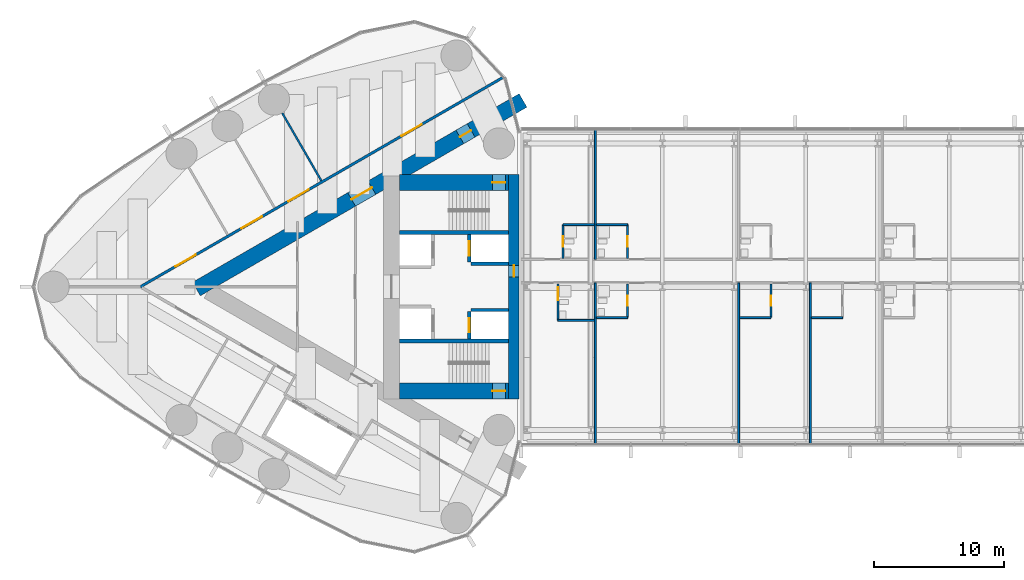
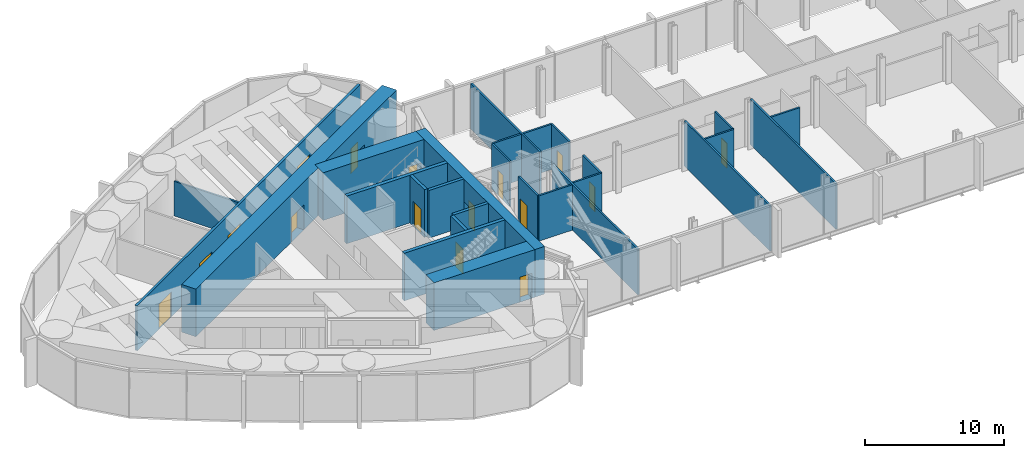
# One storey, part 16 of 23: 27 walls, 16 doors, 16 openings.
"""IFC4 building model written with IfcOpenShell, lengths in metres."""

from ifc_helpers import new_model, si_unit, direction, frame, frame_2d, origin, place, context, subcontext, project, spatial, rectangle, extrude, material, layer, layer_set, type_object, element, fill, save


model = new_model("IFC4")

# Units and contexts
model_context = context("Model", 3, precision=1e-05, world=origin(), true_north=direction((0.0, 1.0)))
body_context = subcontext(model_context, "Body", "Model", "MODEL_VIEW")
ifc_project = project(units=[si_unit("LENGTHUNIT", "METRE"), si_unit("AREAUNIT", "SQUARE_METRE"), si_unit("VOLUMEUNIT", "CUBIC_METRE"), si_unit("PLANEANGLEUNIT", "RADIAN"), si_unit("MASSUNIT", "GRAM", prefix="KILO")], contexts=[model_context])

# Site, building, storey
site_placement = place(None, origin())
site = spatial("IfcSite", under=ifc_project, at=site_placement, CompositionType="ELEMENT")
building_placement = place(site_placement, origin())
building = spatial("IfcBuilding", under=site, at=building_placement, Name="Lancet Gate Hotel", CompositionType="ELEMENT")
storey_placement = place(building_placement, frame((0.0, 0.0, 247.699951171875)))
storey = spatial("IfcBuildingStorey", under=building, at=storey_placement, Name="L66", CompositionType="ELEMENT", Elevation=247.699951171875)

# Wall
ifc_material_1 = material(Name="Moisture resistant board partition")
ifc_layer_1 = layer(ifc_material_1, 0.14990234375)
ifc_layer_set_1 = layer_set([ifc_layer_1], Name="Bathroom wall 150")
wall_type_1 = type_object("IfcWallType", Name="Bathroom wall 150", PredefinedType="PARTITIONING", material=ifc_layer_set_1)
wall_1_placement = place(storey_placement, frame((-24.52490234375, -2.574951171875, 0.0), z_axis=(0.0, 0.0, 1.0), x_axis=(1.0, 0.0, 0.0)))
element("IfcWall", 1, at=wall_1_placement, inside=storey, type_object=wall_type_1, Name="Bridge block bathroom wall 150 L66", PredefinedType="PARTITIONING", context=body_context, shape_type="SweptSolid", body=[
    extrude(rectangle(XDim=2.7998046875, YDim=0.14990234375, at=frame_2d((1.39990234375, 0.0))), origin(), (0.0, 0.0, 1.0), 4.0),
])

# Wall, opening, door
wall_2_placement = place(storey_placement, frame((-24.52490234375, -2.574951171875, 0.0), z_axis=(0.0, 0.0, 1.0), x_axis=(0.0, 1.0, 0.0)))
wall_2 = element("IfcWall", 2, at=wall_2_placement, inside=storey, type_object=wall_type_1, Name="Bridge block bathroom wall 150 L66", PredefinedType="PARTITIONING", context=body_context, shape_type="SweptSolid", body=[
    extrude(rectangle(XDim=2.800048828125, YDim=0.14990234375, at=frame_2d((1.39990234375, 0.0))), origin(), (0.0, 0.0, 1.0), 4.0),
])
opening_1_placement = place(wall_2_placement, frame((1.550048828125, 0.0, 0.0)))
opening_1 = element("IfcOpeningElement", 3, at=opening_1_placement, cuts=wall_2, Name="Opening B6601-B", PredefinedType="OPENING", context=body_context, shape_type="SweptSolid", body=[
    extrude(rectangle(XDim=1.0, YDim=2.199951171875, at=frame_2d((0.5, 1.10009765625))), frame((0.0, 0.0849609375, 0.0), z_axis=(0.0, -1.0, 0.0), x_axis=(1.0, 0.0, 0.0)), (0.0, 0.0, 1.0), 0.169921875),
])
ifc_material_2 = material(Name="Timber door set", Category="wood")
door_type_1 = type_object("IfcDoorType", Name="Accessible en-suite door 1000", OperationType="SINGLE_SWING_RIGHT", PredefinedType="DOOR", material=ifc_material_2)
door_1_placement = place(opening_1_placement, origin())
door_1 = element("IfcDoor", 4, at=door_1_placement, inside=storey, type_object=door_type_1, Name="B6601-B", OperationType="SINGLE_SWING_RIGHT", OverallHeight=2.199951171875, OverallWidth=1.0, PredefinedType="DOOR", context=body_context, shape_type="SweptSolid", body=[
    extrude(rectangle(XDim=1.0, YDim=2.199951171875, at=frame_2d((0.5, 1.10009765625))), frame((0.0, 0.02490234375, 0.0), z_axis=(0.0, -1.0, 0.0), x_axis=(1.0, 0.0, 0.0)), (0.0, 0.0, 1.0), 0.050048828125),
])
fill(opening_1, door_1)

# Wall
wall_3_placement = place(storey_placement, frame((-21.574951171875, -2.375, 0.0), z_axis=(0.0, 0.0, 1.0), x_axis=(1.0, 0.0, 0.0)))
element("IfcWall", 5, at=wall_3_placement, inside=storey, type_object=wall_type_1, Name="Bridge block bathroom wall 150 L66", PredefinedType="PARTITIONING", context=body_context, shape_type="SweptSolid", body=[
    extrude(rectangle(XDim=2.39990234375, YDim=0.14990234375, at=frame_2d((1.199951171875, 0.0))), origin(), (0.0, 0.0, 1.0), 4.0),
])

# Wall, opening, door
wall_4_placement = place(storey_placement, frame((-19.175048828125, -2.375, 0.0), z_axis=(0.0, 0.0, 1.0), x_axis=(0.0, 1.0, 0.0)))
wall_4 = element("IfcWall", 6, at=wall_4_placement, inside=storey, type_object=wall_type_1, Name="Bridge block bathroom wall 150 L66", PredefinedType="PARTITIONING", context=body_context, shape_type="SweptSolid", body=[
    extrude(rectangle(XDim=2.60009765625, YDim=0.14990234375, at=frame_2d((1.300048828125, 0.0))), origin(), (0.0, 0.0, 1.0), 4.0),
])
opening_2_placement = place(wall_4_placement, frame((0.89990234375, 0.0, 0.0)))
opening_2 = element("IfcOpeningElement", 7, at=opening_2_placement, cuts=wall_4, Name="Opening B6602-B", PredefinedType="OPENING", context=body_context, shape_type="SweptSolid", body=[
    extrude(rectangle(XDim=0.800048828125, YDim=2.199951171875, at=frame_2d((0.39990234375, 1.10009765625))), frame((0.0, 0.0849609375, 0.0), z_axis=(0.0, -1.0, 0.0), x_axis=(1.0, 0.0, 0.0)), (0.0, 0.0, 1.0), 0.169921875),
])
ifc_material_3 = material(Name="Timber door set", Category="wood")
door_type_2 = type_object("IfcDoorType", Name="Bathroom door 800", OperationType="SINGLE_SWING_RIGHT", PredefinedType="DOOR", material=ifc_material_3)
door_2_placement = place(opening_2_placement, origin())
door_2 = element("IfcDoor", 8, at=door_2_placement, inside=storey, type_object=door_type_2, Name="B6602-B", OperationType="SINGLE_SWING_RIGHT", OverallHeight=2.199951171875, OverallWidth=0.800048828125, PredefinedType="DOOR", context=body_context, shape_type="SweptSolid", body=[
    extrude(rectangle(XDim=0.800048828125, YDim=2.199951171875, at=frame_2d((0.39990234375, 1.10009765625))), frame((0.0, 0.02490234375, 0.0), z_axis=(0.0, -1.0, 0.0), x_axis=(1.0, 0.0, 0.0)), (0.0, 0.0, 1.0), 0.050048828125),
])
fill(opening_2, door_2)

# Wall
wall_5_placement = place(storey_placement, frame((-10.574951171875, -2.375, 0.0), z_axis=(0.0, 0.0, 1.0), x_axis=(1.0, 0.0, 0.0)))
element("IfcWall", 9, at=wall_5_placement, inside=storey, type_object=wall_type_1, Name="Bridge block bathroom wall 150 L66", PredefinedType="PARTITIONING", context=body_context, shape_type="SweptSolid", body=[
    extrude(rectangle(XDim=2.39990234375, YDim=0.14990234375, at=frame_2d((1.199951171875, 0.0))), origin(), (0.0, 0.0, 1.0), 4.0),
])

# Wall, opening, door
wall_6_placement = place(storey_placement, frame((-8.175048828125, -2.375, 0.0), z_axis=(0.0, 0.0, 1.0), x_axis=(0.0, 1.0, 0.0)))
wall_6 = element("IfcWall", 10, at=wall_6_placement, inside=storey, type_object=wall_type_1, Name="Bridge block bathroom wall 150 L66", PredefinedType="PARTITIONING", context=body_context, shape_type="SweptSolid", body=[
    extrude(rectangle(XDim=2.60009765625, YDim=0.14990234375, at=frame_2d((1.300048828125, 0.0))), origin(), (0.0, 0.0, 1.0), 4.0),
])
opening_3_placement = place(wall_6_placement, frame((0.89990234375, 0.0, 0.0)))
opening_3 = element("IfcOpeningElement", 11, at=opening_3_placement, cuts=wall_6, Name="Opening B6604-B", PredefinedType="OPENING", context=body_context, shape_type="SweptSolid", body=[
    extrude(rectangle(XDim=0.800048828125, YDim=2.199951171875, at=frame_2d((0.39990234375, 1.10009765625))), frame((0.0, 0.0849609375, 0.0), z_axis=(0.0, -1.0, 0.0), x_axis=(1.0, 0.0, 0.0)), (0.0, 0.0, 1.0), 0.169921875),
])
door_3_placement = place(opening_3_placement, origin())
door_3 = element("IfcDoor", 12, at=door_3_placement, inside=storey, type_object=door_type_2, Name="B6604-B", OperationType="SINGLE_SWING_RIGHT", OverallHeight=2.199951171875, OverallWidth=0.800048828125, PredefinedType="DOOR", context=body_context, shape_type="SweptSolid", body=[
    extrude(rectangle(XDim=0.800048828125, YDim=2.199951171875, at=frame_2d((0.39990234375, 1.10009765625))), frame((0.0, 0.02490234375, 0.0), z_axis=(0.0, -1.0, 0.0), x_axis=(1.0, 0.0, 0.0)), (0.0, 0.0, 1.0), 0.050048828125),
])
fill(opening_3, door_3)

# Walls
for number, where, z_axis, x_axis, name in (
    (13, (-5.074951171875, -2.375, 0.0), (0.0, 0.0, 1.0), (1.0, 0.0, 0.0), "Bridge block bathroom wall 150 L66"),
    (14, (-24.125, 4.77490234375, 0.0), (0.0, 0.0, 1.0), (1.0, 0.0, 0.0), "Bridge block bathroom wall 150 L66"),
):
    element("IfcWall", number, at=place(storey_placement, frame(where, z_axis=z_axis, x_axis=x_axis)), inside=storey, type_object=wall_type_1, Name=name, PredefinedType="PARTITIONING", context=body_context, shape_type="SweptSolid", body=[
        extrude(rectangle(XDim=2.39990234375, YDim=0.14990234375, at=frame_2d((1.199951171875, 0.0))), origin(), (0.0, 0.0, 1.0), 4.0),
    ])

# Wall, opening, door
wall_7_placement = place(storey_placement, frame((-24.125, 2.175048828125, 0.0), z_axis=(0.0, 0.0, 1.0), x_axis=(0.0, 1.0, 0.0)))
wall_7 = element("IfcWall", 15, at=wall_7_placement, inside=storey, type_object=wall_type_1, Name="Bridge block bathroom wall 150 L66", PredefinedType="PARTITIONING", context=body_context, shape_type="SweptSolid", body=[
    extrude(rectangle(XDim=2.599853515625, YDim=0.14990234375, at=frame_2d((1.2998046875, 0.0))), origin(), (0.0, 0.0, 1.0), 4.0),
])
opening_4_placement = place(wall_7_placement, frame((0.89990234375, 0.0, 0.0)))
opening_4 = element("IfcOpeningElement", 16, at=opening_4_placement, cuts=wall_7, Name="Opening B6611-B", PredefinedType="OPENING", context=body_context, shape_type="SweptSolid", body=[
    extrude(rectangle(XDim=0.800048828125, YDim=2.199951171875, at=frame_2d((0.39990234375, 1.10009765625))), frame((0.0, 0.0849609375, 0.0), z_axis=(0.0, -1.0, 0.0), x_axis=(1.0, 0.0, 0.0)), (0.0, 0.0, 1.0), 0.169921875),
])
door_4_placement = place(opening_4_placement, origin())
door_4 = element("IfcDoor", 17, at=door_4_placement, inside=storey, type_object=door_type_2, Name="B6611-B", OperationType="SINGLE_SWING_RIGHT", OverallHeight=2.199951171875, OverallWidth=0.800048828125, PredefinedType="DOOR", context=body_context, shape_type="SweptSolid", body=[
    extrude(rectangle(XDim=0.800048828125, YDim=2.199951171875, at=frame_2d((0.39990234375, 1.10009765625))), frame((0.0, 0.02490234375, 0.0), z_axis=(0.0, -1.0, 0.0), x_axis=(1.0, 0.0, 0.0)), (0.0, 0.0, 1.0), 0.050048828125),
])
fill(opening_4, door_4)

# Wall
wall_8_placement = place(storey_placement, frame((-21.574951171875, 4.77490234375, 0.0), z_axis=(0.0, 0.0, 1.0), x_axis=(1.0, 0.0, 0.0)))
element("IfcWall", 18, at=wall_8_placement, inside=storey, type_object=wall_type_1, Name="Bridge block bathroom wall 150 L66", PredefinedType="PARTITIONING", context=body_context, shape_type="SweptSolid", body=[
    extrude(rectangle(XDim=2.39990234375, YDim=0.14990234375, at=frame_2d((1.199951171875, 0.0))), origin(), (0.0, 0.0, 1.0), 4.0),
])

# Wall, opening, door
wall_9_placement = place(storey_placement, frame((-19.175048828125, 2.175048828125, 0.0), z_axis=(0.0, 0.0, 1.0), x_axis=(0.0, 1.0, 0.0)))
wall_9 = element("IfcWall", 19, at=wall_9_placement, inside=storey, type_object=wall_type_1, Name="Bridge block bathroom wall 150 L66", PredefinedType="PARTITIONING", context=body_context, shape_type="SweptSolid", body=[
    extrude(rectangle(XDim=2.599853515625, YDim=0.14990234375, at=frame_2d((1.2998046875, 0.0))), origin(), (0.0, 0.0, 1.0), 4.0),
])
opening_5_placement = place(wall_9_placement, frame((0.89990234375, 0.0, 0.0)))
opening_5 = element("IfcOpeningElement", 20, at=opening_5_placement, cuts=wall_9, Name="Opening B6612-B", PredefinedType="OPENING", context=body_context, shape_type="SweptSolid", body=[
    extrude(rectangle(XDim=0.800048828125, YDim=2.199951171875, at=frame_2d((0.39990234375, 1.10009765625))), frame((0.0, 0.0849609375, 0.0), z_axis=(0.0, -1.0, 0.0), x_axis=(1.0, 0.0, 0.0)), (0.0, 0.0, 1.0), 0.169921875),
])
door_5_placement = place(opening_5_placement, origin())
door_5 = element("IfcDoor", 21, at=door_5_placement, inside=storey, type_object=door_type_2, Name="B6612-B", OperationType="SINGLE_SWING_RIGHT", OverallHeight=2.199951171875, OverallWidth=0.800048828125, PredefinedType="DOOR", context=body_context, shape_type="SweptSolid", body=[
    extrude(rectangle(XDim=0.800048828125, YDim=2.199951171875, at=frame_2d((0.39990234375, 1.10009765625))), frame((0.0, 0.02490234375, 0.0), z_axis=(0.0, -1.0, 0.0), x_axis=(1.0, 0.0, 0.0)), (0.0, 0.0, 1.0), 0.050048828125),
])
fill(opening_5, door_5)

# Wall, openings, doors
ifc_material_4 = material(Name="Concrete C70/85", Category="concrete")
ifc_layer_2 = layer(ifc_material_4, 1.199951171875)
ifc_layer_set_2 = layer_set([ifc_layer_2], Name="Buttress wall 1200")
wall_type_2 = type_object("IfcWallType", Name="Buttress wall 1200", PredefinedType="SHEAR", material=ifc_layer_set_2)
wall_10_placement = place(storey_placement, frame((-27.199951171875, 14.300048828125, 0.0), z_axis=(0.0, 0.0, 1.0), x_axis=(-0.866026593062, -0.499997940104, 0.0)))
wall_10 = element("IfcWall", 22, at=wall_10_placement, inside=storey, type_object=wall_type_2, Name="T1 buttress wall S L66", PredefinedType="SHEAR", context=body_context, shape_type="SweptSolid", body=[
    extrude(rectangle(XDim=28.9462890625, YDim=1.199951171875, at=frame_2d((14.47314453125, 0.0))), origin(), (0.0, 0.0, 1.0), 4.199951171875),
])
opening_6_placement = place(wall_10_placement, frame((4.60009765625, 0.0, 0.0)))
opening_6 = element("IfcOpeningElement", 23, at=opening_6_placement, cuts=wall_10, Name="Opening T1-L66-LS", PredefinedType="OPENING", context=body_context, shape_type="SweptSolid", body=[
    extrude(rectangle(XDim=1.0, YDim=2.199951171875, at=frame_2d((0.5, 1.10009765625))), frame((0.0, 0.60986328125, 0.0), z_axis=(0.0, -1.0, 0.0), x_axis=(1.0, 0.0, 0.0)), (0.0, 0.0, 1.0), 1.219970703125),
])
opening_7_placement = place(wall_10_placement, frame((13.39453125, 0.0, 0.0)))
opening_7 = element("IfcOpeningElement", 24, at=opening_7_placement, cuts=wall_10, Name="Opening T1-L66-LHS", PredefinedType="OPENING", context=body_context, shape_type="SweptSolid", body=[
    extrude(rectangle(XDim=1.800048828125, YDim=2.199951171875, at=frame_2d((0.89990234375, 1.10009765625))), frame((0.0, 0.60986328125, 0.0), z_axis=(0.0, -1.0, 0.0), x_axis=(1.0, 0.0, 0.0)), (0.0, 0.0, 1.0), 1.219970703125),
])
ifc_material_5 = material(Name="Timber door set", Category="wood")
door_type_3 = type_object("IfcDoorType", Name="Lobby double door 1800", OperationType="DOUBLE_DOOR_SINGLE_SWING", PredefinedType="DOOR", material=ifc_material_5)
door_6_placement = place(opening_7_placement, origin())
door_6 = element("IfcDoor", 25, at=door_6_placement, inside=storey, type_object=door_type_3, Name="T1-L66-LHS", OperationType="DOUBLE_DOOR_SINGLE_SWING", OverallHeight=2.199951171875, OverallWidth=1.800048828125, PredefinedType="DOOR", context=body_context, shape_type="SweptSolid", body=[
    extrude(rectangle(XDim=1.800048828125, YDim=2.199951171875, at=frame_2d((0.89990234375, 1.10009765625))), frame((0.0, 0.02490234375, 0.0), z_axis=(0.0, -1.0, 0.0), x_axis=(1.0, 0.0, 0.0)), (0.0, 0.0, 1.0), 0.050048828125),
])
fill(opening_7, door_6)
ifc_material_6 = material(Name="Timber door set", Category="wood")
door_type_4 = type_object("IfcDoorType", Name="Stair lobby door 1000", OperationType="SINGLE_SWING_LEFT", PredefinedType="DOOR", material=ifc_material_6)
door_7_placement = place(opening_6_placement, origin())
door_7 = element("IfcDoor", 26, at=door_7_placement, inside=storey, type_object=door_type_4, Name="T1-L66-LS", OperationType="SINGLE_SWING_LEFT", OverallHeight=2.199951171875, OverallWidth=1.0, PredefinedType="DOOR", context=body_context, shape_type="SweptSolid", body=[
    extrude(rectangle(XDim=1.0, YDim=2.199951171875, at=frame_2d((0.5, 1.10009765625))), frame((0.0, 0.02490234375, 0.0), z_axis=(0.0, -1.0, 0.0), x_axis=(1.0, 0.0, 0.0)), (0.0, 0.0, 1.0), 0.050048828125),
])
fill(opening_6, door_7)

# Wall, opening, door
ifc_material_7 = material(Name="Concrete C70/85", Category="concrete")
ifc_layer_3 = layer(ifc_material_7, 1.199951171875)
ifc_layer_set_3 = layer_set([ifc_layer_3], Name="Core wall 1200")
wall_type_3 = type_object("IfcWallType", Name="Core wall 1200", PredefinedType="SHEAR", material=ifc_layer_set_3)
wall_11_placement = place(storey_placement, frame((-28.300048828125, 8.0, 0.0), z_axis=(0.0, 0.0, 1.0), x_axis=(-1.0, 0.0, 0.0)))
wall_11 = element("IfcWall", 27, at=wall_11_placement, inside=storey, type_object=wall_type_3, Name="T1 core wall side-S L66", PredefinedType="SHEAR", context=body_context, shape_type="SweptSolid", body=[
    extrude(rectangle(XDim=8.39990234375, YDim=1.199951171875, at=frame_2d((4.199951171875, 0.0))), origin(), (0.0, 0.0, 1.0), 4.199951171875),
])
opening_8_placement = place(wall_11_placement, frame((0.25, 0.0, 0.0)))
opening_8 = element("IfcOpeningElement", 28, at=opening_8_placement, cuts=wall_11, Name="Opening T1-L66-ST1", PredefinedType="OPENING", context=body_context, shape_type="SweptSolid", body=[
    extrude(rectangle(XDim=1.0, YDim=2.199951171875, at=frame_2d((0.5, 1.10009765625))), frame((0.0, 0.60986328125, 0.0), z_axis=(0.0, -1.0, 0.0), x_axis=(1.0, 0.0, 0.0)), (0.0, 0.0, 1.0), 1.219970703125),
])
ifc_material_8 = material(Name="Timber door set", Category="wood")
door_type_5 = type_object("IfcDoorType", Name="Stair door 1000", OperationType="SINGLE_SWING_RIGHT", PredefinedType="DOOR", material=ifc_material_8)
door_8_placement = place(opening_8_placement, origin())
door_8 = element("IfcDoor", 29, at=door_8_placement, inside=storey, type_object=door_type_5, Name="T1-L66-ST1", OperationType="SINGLE_SWING_RIGHT", OverallHeight=2.199951171875, OverallWidth=1.0, PredefinedType="DOOR", context=body_context, shape_type="SweptSolid", body=[
    extrude(rectangle(XDim=1.0, YDim=2.199951171875, at=frame_2d((0.5, 1.10009765625))), frame((0.0, 0.02490234375, 0.0), z_axis=(0.0, -1.0, 0.0), x_axis=(1.0, 0.0, 0.0)), (0.0, 0.0, 1.0), 0.050048828125),
])
fill(opening_8, door_8)

wall_12_placement = place(storey_placement, frame((-28.300048828125, -8.0, 0.0), z_axis=(0.0, 0.0, 1.0), x_axis=(-1.0, 0.0, 0.0)))
wall_12 = element("IfcWall", 30, at=wall_12_placement, inside=storey, type_object=wall_type_3, Name="T1 core wall side-N L66", PredefinedType="SHEAR", context=body_context, shape_type="SweptSolid", body=[
    extrude(rectangle(XDim=8.39990234375, YDim=1.199951171875, at=frame_2d((4.199951171875, 0.0))), origin(), (0.0, 0.0, 1.0), 4.199951171875),
])
opening_9_placement = place(wall_12_placement, frame((0.25, 0.0, 0.0)))
opening_9 = element("IfcOpeningElement", 31, at=opening_9_placement, cuts=wall_12, Name="Opening T1-L66-ST2", PredefinedType="OPENING", context=body_context, shape_type="SweptSolid", body=[
    extrude(rectangle(XDim=1.0, YDim=2.199951171875, at=frame_2d((0.5, 1.10009765625))), frame((0.0, 0.60986328125, 0.0), z_axis=(0.0, -1.0, 0.0), x_axis=(1.0, 0.0, 0.0)), (0.0, 0.0, 1.0), 1.219970703125),
])
door_9_placement = place(opening_9_placement, origin())
door_9 = element("IfcDoor", 32, at=door_9_placement, inside=storey, type_object=door_type_5, Name="T1-L66-ST2", OperationType="SINGLE_SWING_RIGHT", OverallHeight=2.199951171875, OverallWidth=1.0, PredefinedType="DOOR", context=body_context, shape_type="SweptSolid", body=[
    extrude(rectangle(XDim=1.0, YDim=2.199951171875, at=frame_2d((0.5, 1.10009765625))), frame((0.0, 0.02490234375, 0.0), z_axis=(0.0, -1.0, 0.0), x_axis=(1.0, 0.0, 0.0)), (0.0, 0.0, 1.0), 0.050048828125),
])
fill(opening_9, door_9)

ifc_material_9 = material(Name="Concrete C70/85", Category="concrete")
ifc_layer_4 = layer(ifc_material_9, 0.800048828125)
ifc_layer_set_4 = layer_set([ifc_layer_4], Name="Core wall 800")
wall_type_4 = type_object("IfcWallType", Name="Core wall 800", PredefinedType="SHEAR", material=ifc_layer_set_4)
wall_13_placement = place(storey_placement, frame((-27.89990234375, 8.60009765625, 0.0), z_axis=(0.0, 0.0, 1.0), x_axis=(0.0, -1.0, 0.0)))
wall_13 = element("IfcWall", 33, at=wall_13_placement, inside=storey, type_object=wall_type_4, Name="T1 core wall front L66", PredefinedType="SHEAR", context=body_context, shape_type="SweptSolid", body=[
    extrude(rectangle(XDim=17.2001953125, YDim=0.800048828125, at=frame_2d((8.60009765625, 0.0))), origin(), (0.0, 0.0, 1.0), 4.199951171875),
])
opening_10_placement = place(wall_13_placement, frame((6.949951171875, 0.0, 0.0)))
opening_10 = element("IfcOpeningElement", 34, at=opening_10_placement, cuts=wall_13, Name="Opening T1-L66-BR", PredefinedType="OPENING", context=body_context, shape_type="SweptSolid", body=[
    extrude(rectangle(XDim=0.89990234375, YDim=2.199951171875, at=frame_2d((0.449951171875, 1.10009765625))), frame((0.0, 0.409912109375, 0.0), z_axis=(0.0, -1.0, 0.0), x_axis=(1.0, 0.0, 0.0)), (0.0, 0.0, 1.0), 0.820068359375),
])
ifc_material_10 = material(Name="Steel door set", Category="steel")
door_type_6 = type_object("IfcDoorType", Name="Bridge fire door 900", OperationType="SINGLE_SWING_LEFT", PredefinedType="DOOR", material=ifc_material_10)
door_10_placement = place(opening_10_placement, origin())
door_10 = element("IfcDoor", 35, at=door_10_placement, inside=storey, type_object=door_type_6, Name="T1-L66-BR", OperationType="SINGLE_SWING_LEFT", OverallHeight=2.199951171875, OverallWidth=0.89990234375, PredefinedType="DOOR", context=body_context, shape_type="SweptSolid", body=[
    extrude(rectangle(XDim=0.89990234375, YDim=2.199951171875, at=frame_2d((0.449951171875, 1.10009765625))), frame((0.0, 0.02490234375, 0.0), z_axis=(0.0, -1.0, 0.0), x_axis=(1.0, 0.0, 0.0)), (0.0, 0.0, 1.0), 0.050048828125),
])
fill(opening_10, door_10)

# Wall, openings, doors
ifc_material_11 = material(Name="Gypsum board partition")
ifc_layer_5 = layer(ifc_material_11, 0.199951171875)
ifc_layer_set_5 = layer_set([ifc_layer_5], Name="Corridor wall 200")
wall_type_5 = type_object("IfcWallType", Name="Corridor wall 200", PredefinedType="PARTITIONING", material=ifc_layer_set_5)
wall_14_placement = place(storey_placement, frame((-28.681396484375, 16.1005859375, 0.0), z_axis=(0.0, 0.0, 1.0), x_axis=(-0.866024860443, -0.500000941094, 0.0)))
wall_14 = element("IfcWall", 36, at=wall_14_placement, inside=storey, type_object=wall_type_5, Name="T1 corridor wall 200 L66", PredefinedType="PARTITIONING", context=body_context, shape_type="SweptSolid", body=[
    extrude(rectangle(XDim=32.201171875, YDim=0.199951171875, at=frame_2d((16.1005859375, 0.0))), origin(), (0.0, 0.0, 1.0), 3.949951171875),
])
opening_11_placement = place(wall_14_placement, frame((7.265869140625, 0.0, 0.0)))
opening_11 = element("IfcOpeningElement", 37, at=opening_11_placement, cuts=wall_14, Name="Opening T1-L66-DK01", PredefinedType="OPENING", context=body_context, shape_type="SweptSolid", body=[
    extrude(rectangle(XDim=1.800048828125, YDim=2.199951171875, at=frame_2d((0.89990234375, 1.10009765625))), frame((0.0, 0.10986328125, 0.0), z_axis=(0.0, -1.0, 0.0), x_axis=(1.0, 0.0, 0.0)), (0.0, 0.0, 1.0), 0.219970703125),
])
opening_12_placement = place(wall_14_placement, frame((17.281494140625, 0.0, 0.0)))
opening_12 = element("IfcOpeningElement", 38, at=opening_12_placement, cuts=wall_14, Name="Opening T1-L66-DK02", PredefinedType="OPENING", context=body_context, shape_type="SweptSolid", body=[
    extrude(rectangle(XDim=1.800048828125, YDim=2.199951171875, at=frame_2d((0.89990234375, 1.10009765625))), frame((0.0, 0.10986328125, 0.0), z_axis=(0.0, -1.0, 0.0), x_axis=(1.0, 0.0, 0.0)), (0.0, 0.0, 1.0), 0.219970703125),
])
opening_13_placement = place(wall_14_placement, frame((21.430419921875, 0.0, 0.0)))
opening_13 = element("IfcOpeningElement", 39, at=opening_13_placement, cuts=wall_14, Name="Opening T1-L66-DK03", PredefinedType="OPENING", context=body_context, shape_type="SweptSolid", body=[
    extrude(rectangle(XDim=1.800048828125, YDim=2.199951171875, at=frame_2d((0.89990234375, 1.10009765625))), frame((0.0, 0.10986328125, 0.0), z_axis=(0.0, -1.0, 0.0), x_axis=(1.0, 0.0, 0.0)), (0.0, 0.0, 1.0), 0.219970703125),
])
opening_14_placement = place(wall_14_placement, frame((27.290283203125, 0.0, 0.0)))
opening_14 = element("IfcOpeningElement", 40, at=opening_14_placement, cuts=wall_14, Name="Opening T1-L66-DK04", PredefinedType="OPENING", context=body_context, shape_type="SweptSolid", body=[
    extrude(rectangle(XDim=1.800048828125, YDim=2.199951171875, at=frame_2d((0.89990234375, 1.10009765625))), frame((0.0, 0.10986328125, 0.0), z_axis=(0.0, -1.0, 0.0), x_axis=(1.0, 0.0, 0.0)), (0.0, 0.0, 1.0), 0.219970703125),
])
ifc_material_12 = material(Name="Timber door set", Category="wood")
door_type_7 = type_object("IfcDoorType", Name="Double door 1800", OperationType="DOUBLE_DOOR_SINGLE_SWING", PredefinedType="DOOR", material=ifc_material_12)
door_11_placement = place(opening_11_placement, origin())
door_11 = element("IfcDoor", 41, at=door_11_placement, inside=storey, type_object=door_type_7, Name="T1-L66-DK01", OperationType="DOUBLE_DOOR_SINGLE_SWING", OverallHeight=2.199951171875, OverallWidth=1.800048828125, PredefinedType="DOOR", context=body_context, shape_type="SweptSolid", body=[
    extrude(rectangle(XDim=1.800048828125, YDim=2.199951171875, at=frame_2d((0.89990234375, 1.10009765625))), frame((0.0, 0.02490234375, 0.0), z_axis=(0.0, -1.0, 0.0), x_axis=(1.0, 0.0, 0.0)), (0.0, 0.0, 1.0), 0.050048828125),
])
fill(opening_11, door_11)
door_12_placement = place(opening_12_placement, origin())
door_12 = element("IfcDoor", 42, at=door_12_placement, inside=storey, type_object=door_type_7, Name="T1-L66-DK02", OperationType="DOUBLE_DOOR_SINGLE_SWING", OverallHeight=2.199951171875, OverallWidth=1.800048828125, PredefinedType="DOOR", context=body_context, shape_type="SweptSolid", body=[
    extrude(rectangle(XDim=1.800048828125, YDim=2.199951171875, at=frame_2d((0.89990234375, 1.10009765625))), frame((0.0, 0.02490234375, 0.0), z_axis=(0.0, -1.0, 0.0), x_axis=(1.0, 0.0, 0.0)), (0.0, 0.0, 1.0), 0.050048828125),
])
fill(opening_12, door_12)
door_13_placement = place(opening_13_placement, origin())
door_13 = element("IfcDoor", 43, at=door_13_placement, inside=storey, type_object=door_type_7, Name="T1-L66-DK03", OperationType="DOUBLE_DOOR_SINGLE_SWING", OverallHeight=2.199951171875, OverallWidth=1.800048828125, PredefinedType="DOOR", context=body_context, shape_type="SweptSolid", body=[
    extrude(rectangle(XDim=1.800048828125, YDim=2.199951171875, at=frame_2d((0.89990234375, 1.10009765625))), frame((0.0, 0.02490234375, 0.0), z_axis=(0.0, -1.0, 0.0), x_axis=(1.0, 0.0, 0.0)), (0.0, 0.0, 1.0), 0.050048828125),
])
fill(opening_13, door_13)
door_14_placement = place(opening_14_placement, origin())
door_14 = element("IfcDoor", 44, at=door_14_placement, inside=storey, type_object=door_type_7, Name="T1-L66-DK04", OperationType="DOUBLE_DOOR_SINGLE_SWING", OverallHeight=2.199951171875, OverallWidth=1.800048828125, PredefinedType="DOOR", context=body_context, shape_type="SweptSolid", body=[
    extrude(rectangle(XDim=1.800048828125, YDim=2.199951171875, at=frame_2d((0.89990234375, 1.10009765625))), frame((0.0, 0.02490234375, 0.0), z_axis=(0.0, -1.0, 0.0), x_axis=(1.0, 0.0, 0.0)), (0.0, 0.0, 1.0), 0.050048828125),
])
fill(opening_14, door_14)

# Wall, opening, door
ifc_material_13 = material(Name="Concrete C50/60", Category="concrete")
ifc_layer_6 = layer(ifc_material_13, 0.25)
ifc_layer_set_6 = layer_set([ifc_layer_6], Name="Lift shaft wall 250")
wall_type_6 = type_object("IfcWallType", Name="Lift shaft wall 250", PredefinedType="SHEAR", material=ifc_layer_set_6)
wall_15_placement = place(storey_placement, frame((-31.324951171875, 4.0, 0.0), z_axis=(0.0, 0.0, 1.0), x_axis=(0.0, -1.0, 0.0)))
wall_15 = element("IfcWall", 45, at=wall_15_placement, inside=storey, type_object=wall_type_6, Name="T1 core wall row1-S L66", PredefinedType="SHEAR", context=body_context, shape_type="SweptSolid", body=[
    extrude(rectangle(XDim=2.10009765625, YDim=0.25, at=frame_2d((1.050048828125, 0.0))), origin(), (0.0, 0.0, 1.0), 4.199951171875),
])
opening_15_placement = place(wall_15_placement, frame((0.5, 0.0, 0.0)))
opening_15 = element("IfcOpeningElement", 46, at=opening_15_placement, cuts=wall_15, Name="Opening T1-SL1-L66", PredefinedType="OPENING", context=body_context, shape_type="SweptSolid", body=[
    extrude(rectangle(XDim=1.10009765625, YDim=2.199951171875, at=frame_2d((0.550048828125, 1.10009765625))), frame((0.0, 0.135009765625, 0.0), z_axis=(0.0, -1.0, 0.0), x_axis=(1.0, 0.0, 0.0)), (0.0, 0.0, 1.0), 0.27001953125),
])
ifc_material_14 = material(Name="Timber door set", Category="wood")
door_type_8 = type_object("IfcDoorType", Name="Service lift landing door 1100", OperationType="SLIDING_TO_LEFT", PredefinedType="USERDEFINED", material=ifc_material_14)
door_15_placement = place(opening_15_placement, origin())
door_15 = element("IfcDoor", 47, at=door_15_placement, inside=storey, type_object=door_type_8, Name="T1-SL1-L66", ObjectType="LIFT LANDING DOOR", OperationType="SLIDING_TO_LEFT", OverallHeight=2.199951171875, OverallWidth=1.10009765625, PredefinedType="USERDEFINED", context=body_context, shape_type="SweptSolid", body=[
    extrude(rectangle(XDim=1.10009765625, YDim=2.199951171875, at=frame_2d((0.550048828125, 1.10009765625))), frame((0.0, 0.02490234375, 0.0), z_axis=(0.0, -1.0, 0.0), x_axis=(1.0, 0.0, 0.0)), (0.0, 0.0, 1.0), 0.050048828125),
])
fill(opening_15, door_15)

# Wall
wall_16_placement = place(storey_placement, frame((-28.300048828125, 1.77490234375, 0.0), z_axis=(0.0, 0.0, 1.0), x_axis=(-1.0, 0.0, 0.0)))
element("IfcWall", 48, at=wall_16_placement, inside=storey, type_object=wall_type_6, Name="T1 core wall pass1-S L66", PredefinedType="SHEAR", context=body_context, shape_type="SweptSolid", body=[
    extrude(rectangle(XDim=2.89990234375, YDim=0.25, at=frame_2d((1.449951171875, 0.0))), origin(), (0.0, 0.0, 1.0), 4.199951171875),
])

# Wall, opening, door
wall_17_placement = place(storey_placement, frame((-31.324951171875, -1.89990234375, 0.0), z_axis=(0.0, 0.0, 1.0), x_axis=(0.0, -1.0, 0.0)))
wall_17 = element("IfcWall", 49, at=wall_17_placement, inside=storey, type_object=wall_type_6, Name="T1 core wall row1-N L66", PredefinedType="SHEAR", context=body_context, shape_type="SweptSolid", body=[
    extrude(rectangle(XDim=2.10009765625, YDim=0.25, at=frame_2d((1.050048828125, 0.0))), origin(), (0.0, 0.0, 1.0), 4.199951171875),
])
opening_16_placement = place(wall_17_placement, frame((0.5, 0.0, 0.0)))
opening_16 = element("IfcOpeningElement", 50, at=opening_16_placement, cuts=wall_17, Name="Opening T1-FL2-L66", PredefinedType="OPENING", context=body_context, shape_type="SweptSolid", body=[
    extrude(rectangle(XDim=1.10009765625, YDim=2.199951171875, at=frame_2d((0.550048828125, 1.10009765625))), frame((0.0, 0.135009765625, 0.0), z_axis=(0.0, -1.0, 0.0), x_axis=(1.0, 0.0, 0.0)), (0.0, 0.0, 1.0), 0.27001953125),
])
ifc_material_15 = material(Name="Steel door set", Category="steel")
door_type_9 = type_object("IfcDoorType", Name="Firefighting lift landing door 1100", OperationType="SLIDING_TO_LEFT", PredefinedType="USERDEFINED", material=ifc_material_15)
door_16_placement = place(opening_16_placement, origin())
door_16 = element("IfcDoor", 51, at=door_16_placement, inside=storey, type_object=door_type_9, Name="T1-FL2-L66", ObjectType="LIFT LANDING DOOR", OperationType="SLIDING_TO_LEFT", OverallHeight=2.199951171875, OverallWidth=1.10009765625, PredefinedType="USERDEFINED", context=body_context, shape_type="SweptSolid", body=[
    extrude(rectangle(XDim=1.10009765625, YDim=2.199951171875, at=frame_2d((0.550048828125, 1.10009765625))), frame((0.0, 0.02490234375, 0.0), z_axis=(0.0, -1.0, 0.0), x_axis=(1.0, 0.0, 0.0)), (0.0, 0.0, 1.0), 0.050048828125),
])
fill(opening_16, door_16)

# Walls
wall_18_placement = place(storey_placement, frame((-28.300048828125, -1.77490234375, 0.0), z_axis=(0.0, 0.0, 1.0), x_axis=(-1.0, 0.0, 0.0)))
element("IfcWall", 52, at=wall_18_placement, inside=storey, type_object=wall_type_6, Name="T1 core wall pass1-N L66", PredefinedType="SHEAR", context=body_context, shape_type="SweptSolid", body=[
    extrude(rectangle(XDim=2.89990234375, YDim=0.25, at=frame_2d((1.449951171875, 0.0))), origin(), (0.0, 0.0, 1.0), 4.199951171875),
])
ifc_material_16 = material(Name="Gypsum board partition")
ifc_layer_7 = layer(ifc_material_16, 0.14990234375)
ifc_layer_set_7 = layer_set([ifc_layer_7], Name="Party wall 150")
wall_type_7 = type_object("IfcWallType", Name="Party wall 150", PredefinedType="PARTITIONING", material=ifc_layer_set_7)
wall_19_placement = place(storey_placement, frame((-42.680419921875, 8.133544921875, 0.0), z_axis=(0.0, 0.0, 1.0), x_axis=(-0.499984479505, 0.866034364361, 0.0)))
element("IfcWall", 53, at=wall_19_placement, inside=storey, type_object=wall_type_7, Name="T1 party wall 150 L66", PredefinedType="PARTITIONING", context=body_context, shape_type="SweptSolid", body=[
    extrude(rectangle(XDim=5.995361328125, YDim=0.14990234375, at=frame_2d((2.99755859375, 0.0))), origin(), (0.0, 0.0, 1.0), 3.050048828125),
])
for number, where, z_axis, x_axis, name in (
    (54, (-21.64990234375, -12.070068359375, 0.0), (0.0, 0.0, 1.0), (0.0, 1.0, 0.0), "Bridge block party wall 150 L66"),
    (55, (-10.64990234375, -12.070068359375, 0.0), (0.0, 0.0, 1.0), (0.0, 1.0, 0.0), "Bridge block party wall 150 L66"),
    (56, (-5.14990234375, -12.070068359375, 0.0), (0.0, 0.0, 1.0), (0.0, 1.0, 0.0), "Bridge block party wall 150 L66"),
):
    element("IfcWall", number, at=place(storey_placement, frame(where, z_axis=z_axis, x_axis=x_axis)), inside=storey, type_object=wall_type_7, Name=name, PredefinedType="PARTITIONING", context=body_context, shape_type="SweptSolid", body=[
        extrude(rectangle(XDim=12.3701171875, YDim=0.14990234375, at=frame_2d((6.18505859375, 0.0))), origin(), (0.0, 0.0, 1.0), 4.0),
    ])
wall_20_placement = place(storey_placement, frame((-21.64990234375, 2.10009765625, 0.0), z_axis=(0.0, 0.0, 1.0), x_axis=(0.0, 1.0, 0.0)))
element("IfcWall", 57, at=wall_20_placement, inside=storey, type_object=wall_type_7, Name="Bridge block party wall 150 L66", PredefinedType="PARTITIONING", context=body_context, shape_type="SweptSolid", body=[
    extrude(rectangle(XDim=9.969970703125, YDim=0.14990234375, at=frame_2d((4.98486328125, 0.0))), origin(), (0.0, 0.0, 1.0), 4.0),
])
ifc_material_17 = material(Name="Concrete C50/60", Category="concrete")
ifc_layer_8 = layer(ifc_material_17, 0.300048828125)
ifc_layer_set_8 = layer_set([ifc_layer_8], Name="Stair enclosure wall 300")
wall_type_8 = type_object("IfcWallType", Name="Stair enclosure wall 300", PredefinedType="SHEAR", material=ifc_layer_set_8)
for number, where, z_axis, x_axis, name in (
    (58, (-28.300048828125, 4.14990234375, 0.0), (0.0, 0.0, 1.0), (-1.0, 0.0, 0.0), "T1 core wall stair-S L66"),
    (59, (-28.300048828125, -4.14990234375, 0.0), (0.0, 0.0, 1.0), (-1.0, 0.0, 0.0), "T1 core wall stair-N L66"),
):
    element("IfcWall", number, at=place(storey_placement, frame(where, z_axis=z_axis, x_axis=x_axis)), inside=storey, type_object=wall_type_8, Name=name, PredefinedType="SHEAR", context=body_context, shape_type="SweptSolid", body=[
        extrude(rectangle(XDim=8.39990234375, YDim=0.300048828125, at=frame_2d((4.199951171875, 0.0))), origin(), (0.0, 0.0, 1.0), 4.199951171875),
    ])

save(model, "model.ifc")
